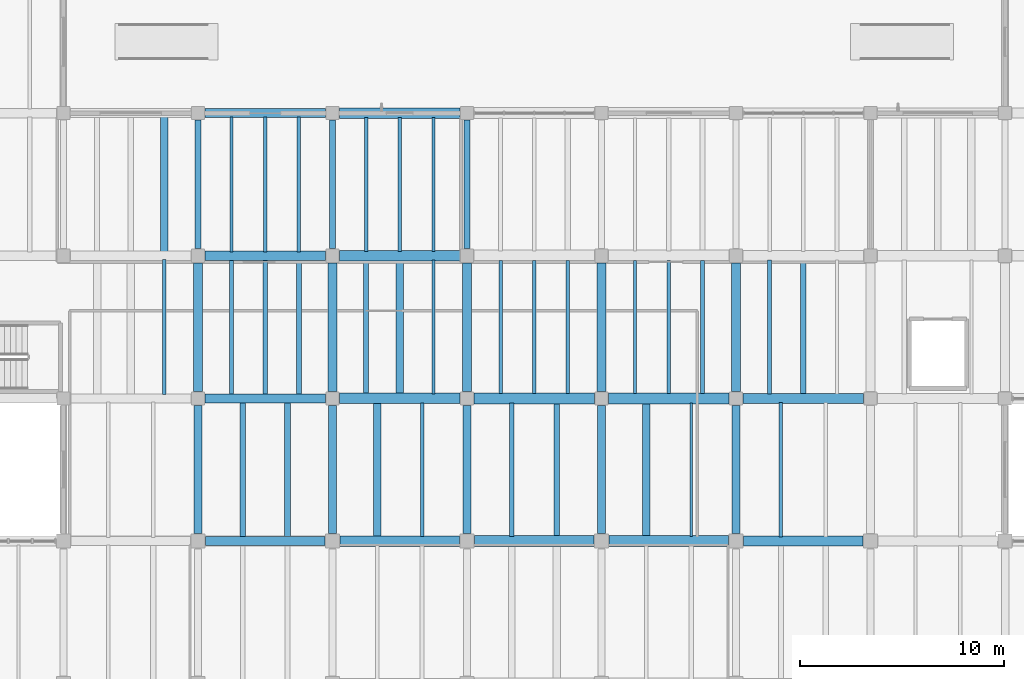
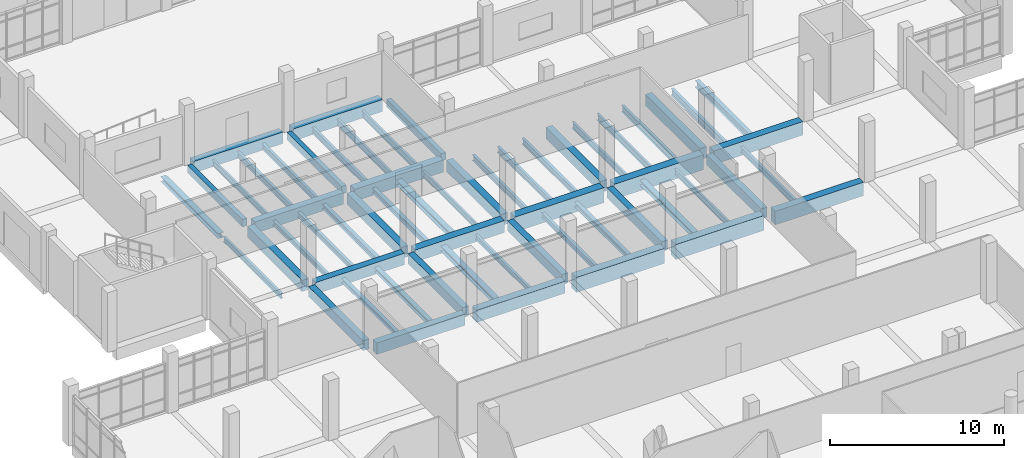
# One storey, part 16 of 69: 58 beams.
"""IFC4 building model written with IfcOpenShell, lengths in metres."""

import ifcopenshell
import ifcopenshell.guid

model = None  # the IFC model being written
_history = None  # IfcOwnerHistory: only IFC2X3 demands one
_inside = {}  # id of a spatial element -> (the spatial element, [elements in it])
_under = {}  # id of a project, library or spatial element -> (it, [spatial elements below it])
_declared = {}  # id of a project -> (the project, [libraries it declares])
_typed = {}  # id of a type object -> (the type object, [elements of that type])
_made_of = {}  # id of a material, layer set ... -> (it, [elements and type objects made of it])


def new_model(schema):
    """Start an empty IFC model of exactly this schema.

    Asked for "IFC4X3", IfcOpenShell would pick the latest addendum, in which some entities
    have other attributes; the version numbers below select the first issue.
    IFC2X3 requires an IfcOwnerHistory on every rooted entity: one is made here for all.
    """
    global model, _history
    if schema == "IFC4X3":
        model = ifcopenshell.file(schema_version=(4, 3, 0, 0))
    else:
        model = ifcopenshell.file(schema=schema)
    _inside.clear()
    _under.clear()
    _declared.clear()
    _typed.clear()
    _made_of.clear()
    _history = None
    if model.schema == "IFC2X3":
        org = make("IfcOrganization", Name="unknown")
        user = make(
            "IfcPersonAndOrganization",
            ThePerson=make("IfcPerson", FamilyName="unknown"),
            TheOrganization=org,
        )
        app = make(
            "IfcApplication",
            ApplicationDeveloper=org,
            Version="unknown",
            ApplicationFullName="unknown",
            ApplicationIdentifier="unknown",
        )
        _history = make(
            "IfcOwnerHistory",
            OwningUser=user,
            OwningApplication=app,
            ChangeAction="ADDED",
            CreationDate=0,
        )
    return model


def make(cls, **values):
    """One entity of the class cls with the attributes given. An attribute that is None is left unset."""
    return model.create_entity(
        cls, **{name: value for name, value in values.items() if value is not None}
    )


def rooted(cls, **values):
    """An entity with a GlobalId (a new one), such as an element, a storey or a relation."""
    return make(cls, GlobalId=ifcopenshell.guid.new(), OwnerHistory=_history, **values)


def si_unit(unit_type, name, prefix=None):
    """IfcSIUnit, for example si_unit("LENGTHUNIT", "METRE", prefix="MILLI")."""
    return make("IfcSIUnit", UnitType=unit_type, Prefix=prefix, Name=name)


def assignment(units):
    """IfcUnitAssignment: the units of a project."""
    return None if units is None else make("IfcUnitAssignment", Units=units)


def point(xyz):
    """IfcCartesianPoint."""
    return None if xyz is None else make("IfcCartesianPoint", Coordinates=xyz)


def direction(xyz):
    """IfcDirection."""
    return None if xyz is None else make("IfcDirection", DirectionRatios=xyz)


def frame(location, z_axis=None, x_axis=None):
    """IfcAxis2Placement3D, a coordinate frame: its origin and axes. An axis left out is left unset."""
    return make(
        "IfcAxis2Placement3D",
        Location=point(location),
        Axis=direction(z_axis),
        RefDirection=direction(x_axis),
    )


def frame_2d(location, x_axis=None):
    """IfcAxis2Placement2D, a coordinate frame in the plane: its origin and x axis."""
    return make(
        "IfcAxis2Placement2D", Location=point(location), RefDirection=direction(x_axis)
    )


def origin():
    """The frame at (0, 0, 0) with its axes left unset."""
    return frame((0.0, 0.0, 0.0))


def origin_2d():
    """The frame at (0, 0) in the plane with its x axis left unset."""
    return frame_2d((0.0, 0.0))


def place(relative_to, where):
    """IfcLocalPlacement: puts the frame where relative to a parent placement (None: the world)."""
    return make(
        "IfcLocalPlacement", PlacementRelTo=relative_to, RelativePlacement=where
    )


def context(
    kind, dimensions, precision=None, world=None, true_north=None, identifier=None
):
    """IfcGeometricRepresentationContext, for example the 3D "Model" context."""
    return make(
        "IfcGeometricRepresentationContext",
        ContextIdentifier=identifier,
        ContextType=kind,
        CoordinateSpaceDimension=dimensions,
        Precision=precision,
        WorldCoordinateSystem=world,
        TrueNorth=true_north,
    )


def subcontext(parent, identifier, kind, view, scale=None):
    """IfcGeometricRepresentationSubContext, for example "Body" below "Model"."""
    return make(
        "IfcGeometricRepresentationSubContext",
        ContextIdentifier=identifier,
        ContextType=kind,
        ParentContext=parent,
        TargetScale=scale,
        TargetView=view,
    )


def project(units=None, contexts=None):
    """IfcProject with its units and contexts."""
    return rooted(
        "IfcProject",
        Name="project",
        RepresentationContexts=contexts,
        UnitsInContext=assignment(units),
    )


def spatial(cls, under=None, at=None, **own):
    """A site, building, storey or space (cls), placed at a placement, below another one or the project."""
    s = rooted(cls, ObjectPlacement=at, **own)
    if under is not None:
        _under.setdefault(under.id(), (under, []))[1].append(s)
    return s


def profile(cls, at=None, kind="AREA", **sizes):
    """A parametric profile (cls). Its sizes go by their IFC names, for example OverallWidth=200.0."""
    return make(cls, ProfileType=kind, Position=at, **sizes)


def rectangle(**sizes):
    """IfcRectangleProfileDef."""
    return profile("IfcRectangleProfileDef", **sizes)


def i_section(**sizes):
    """IfcIShapeProfileDef."""
    return profile("IfcIShapeProfileDef", **sizes)


def extrude(swept, where, along, depth):
    """IfcExtrudedAreaSolid: the profile swept, set in the frame where, extruded along a direction by depth."""
    return make(
        "IfcExtrudedAreaSolid",
        SweptArea=swept,
        Position=where,
        ExtrudedDirection=direction(along),
        Depth=depth,
    )


def shape(context_of_items, identifier, shape_type, items):
    """IfcShapeRepresentation: the items that make up one representation, for example the "Body"."""
    return make(
        "IfcShapeRepresentation",
        ContextOfItems=context_of_items,
        RepresentationIdentifier=identifier,
        RepresentationType=shape_type,
        Items=items,
    )


def material(Name=None, Category=None):
    """IfcMaterial."""
    return make("IfcMaterial", Name=Name, Category=Category)


def material_profile(
    of_material, cross_section, Name=None, Category=None, Priority=None
):
    """IfcMaterialProfile: a cross section and its material."""
    return make(
        "IfcMaterialProfile",
        Name=Name,
        Material=of_material,
        Profile=cross_section,
        Priority=Priority,
        Category=Category,
    )


def profile_set(profiles, Name=None, composite=None):
    """IfcMaterialProfileSet."""
    return make(
        "IfcMaterialProfileSet",
        Name=Name,
        MaterialProfiles=profiles,
        CompositeProfile=composite,
    )


def made_of(thing, what):
    """Note that an element or type object is made of a material, layer set ...; save() writes the relation."""
    if what is not None:
        _made_of.setdefault(what.id(), (what, []))[1].append(thing)
    return thing


def type_object(cls, material=None, **own):
    """A type object (cls), such as IfcWallType, which elements share."""
    return made_of(rooted(cls, **own), material)


def element(
    cls,
    number,
    at=None,
    inside=None,
    cuts=None,
    type_object=None,
    material=None,
    context=None,
    identifier="Body",
    shape_type=None,
    held_by="IfcProductDefinitionShape",
    body=None,
    shapes=None,
    **own,
):
    """One element of the class cls, such as IfcWall. Its Tag is "e" and its number.

    at: its placement. inside: the storey or other place that contains it. cuts: it is an
    opening in that element (IfcRelVoidsElement). A single representation is given by context,
    identifier, shape_type and body (its items); several are given by shapes. held_by: the class
    of the entity that holds the representations. save() writes the other relations.
    """
    e = rooted(cls, Tag="e%d" % number, ObjectPlacement=at, **own)
    if body is not None:
        shapes = [shape(context, identifier, shape_type, body)]
    if shapes is not None:
        e.Representation = make(held_by, Representations=shapes)
    if inside is not None:
        _inside.setdefault(inside.id(), (inside, []))[1].append(e)
    if cuts is not None:
        rooted(
            "IfcRelVoidsElement", RelatingBuildingElement=cuts, RelatedOpeningElement=e
        )
    if type_object is not None:
        _typed.setdefault(type_object.id(), (type_object, []))[1].append(e)
    return made_of(e, material)


def aggregate(whole, parts):
    """IfcRelAggregates: a whole, such as a stair, and the parts it consists of."""
    return rooted("IfcRelAggregates", RelatingObject=whole, RelatedObjects=parts)


def save(model, path):
    """Write the relations noted so far, then the file.

    IfcRelAggregates (storeys below a building ...), IfcRelContainedInSpatialStructure (elements
    in a storey), IfcRelDefinesByType, IfcRelAssociatesMaterial and IfcRelDeclares: one each for
    every whole, place, type object, material and project.
    """
    for whole, parts in _under.values():
        aggregate(whole, parts)
    for where, things in _inside.values():
        rooted(
            "IfcRelContainedInSpatialStructure",
            RelatedElements=things,
            RelatingStructure=where,
        )
    for kind, things in _typed.values():
        rooted("IfcRelDefinesByType", RelatedObjects=things, RelatingType=kind)
    for what, things in _made_of.values():
        rooted("IfcRelAssociatesMaterial", RelatedObjects=things, RelatingMaterial=what)
    for by, libraries in _declared.values():
        rooted("IfcRelDeclares", RelatingContext=by, RelatedDefinitions=libraries)
    model.write(path)


model = new_model("IFC4")

# Units and contexts
model_context = context("Model", 3, precision=1e-05, world=origin(), true_north=direction((0.0, 1.0)))
body_context = subcontext(model_context, "Body", "Model", "MODEL_VIEW")
ifc_project = project(units=[si_unit("LENGTHUNIT", "METRE"), si_unit("AREAUNIT", "SQUARE_METRE"), si_unit("VOLUMEUNIT", "CUBIC_METRE"), si_unit("PLANEANGLEUNIT", "RADIAN"), si_unit("MASSUNIT", "GRAM", prefix="KILO")], contexts=[model_context])

# Site, building, storey
site_placement = place(None, origin())
site = spatial("IfcSite", under=ifc_project, at=site_placement, CompositionType="ELEMENT")
building_placement = place(site_placement, origin())
building = spatial("IfcBuilding", under=site, at=building_placement, Name="Ciguamira Faculty of Natural Sciences", CompositionType="ELEMENT")
storey_placement = place(building_placement, origin())
storey = spatial("IfcBuildingStorey", under=building, at=storey_placement, Name="L00", CompositionType="ELEMENT", Elevation=0.0)

# Beams
ifc_material_1 = material(Name="Concrete C40/50", Category="concrete")
ifc_material_profile_1 = material_profile(ifc_material_1, rectangle(XDim=0.550048828125, YDim=1.050048828125, at=origin_2d()), Name="RC-BM-550X1050")
ifc_profile_set_1 = profile_set([ifc_material_profile_1], Name="Concrete C40/50")
beam_type_1 = type_object("IfcBeamType", Name="RCBeam_BG-01_RC-BM-550X1050", PredefinedType="BEAM", material=ifc_profile_set_1)
beam_1_placement = place(storey_placement, frame((84.074951171875, 38.0, -0.52490234375), z_axis=(1.0, 0.0, 0.0), x_axis=(0.0, 1.0, 0.0)))
element("IfcBeam", 1, at=beam_1_placement, inside=storey, type_object=beam_type_1, Name="L00 RC girder EW-0094", PredefinedType="BEAM", context=body_context, shape_type="SweptSolid", body=[
    extrude(rectangle(XDim=0.550048828125, YDim=1.050048828125, at=origin_2d()), origin(), (0.0, 0.0, 1.0), 5.85009765625),
])
beam_2_placement = place(storey_placement, frame((90.675048828125, 38.0, -0.52490234375), z_axis=(1.0, 0.0, 0.0), x_axis=(0.0, 1.0, 0.0)))
element("IfcBeam", 2, at=beam_2_placement, inside=storey, type_object=beam_type_1, Name="L00 RC girder EW-0095", PredefinedType="BEAM", context=body_context, shape_type="SweptSolid", body=[
    extrude(rectangle(XDim=0.550048828125, YDim=1.050048828125, at=origin_2d()), origin(), (0.0, 0.0, 1.0), 5.849853515625),
])
beam_3_placement = place(storey_placement, frame((84.050048828125, 45.0, -0.52490234375), z_axis=(1.0, 0.0, 0.0), x_axis=(0.0, 1.0, 0.0)))
element("IfcBeam", 3, at=beam_3_placement, inside=storey, type_object=beam_type_1, Name="L00 RC girder EW-0104", PredefinedType="BEAM", context=body_context, shape_type="SweptSolid", body=[
    extrude(rectangle(XDim=0.550048828125, YDim=1.050048828125, at=origin_2d()), origin(), (0.0, 0.0, 1.0), 5.89990234375),
])
beam_4_placement = place(storey_placement, frame((90.64990234375, 45.0, -0.52490234375), z_axis=(1.0, 0.0, 0.0), x_axis=(0.0, 1.0, 0.0)))
element("IfcBeam", 4, at=beam_4_placement, inside=storey, type_object=beam_type_1, Name="L00 RC girder EW-0105", PredefinedType="BEAM", context=body_context, shape_type="SweptSolid", body=[
    extrude(rectangle(XDim=0.550048828125, YDim=1.050048828125, at=origin_2d()), origin(), (0.0, 0.0, 1.0), 5.900146484375),
])
ifc_material_profile_2 = material_profile(ifc_material_1, rectangle(XDim=0.5, YDim=0.949951171875, at=origin_2d()), Name="RC-BM-500X950")
ifc_profile_set_2 = profile_set([ifc_material_profile_2], Name="Concrete C40/50")
beam_type_2 = type_object("IfcBeamType", Name="RCBeam_BG-02_RC-BM-500X950", PredefinedType="BEAM", material=ifc_profile_set_2)
beam_5_placement = place(storey_placement, frame((97.27490234375, 38.0, -0.47509765625), z_axis=(1.0, 0.0, 0.0), x_axis=(0.0, 1.0, 0.0)))
element("IfcBeam", 5, at=beam_5_placement, inside=storey, type_object=beam_type_2, Name="L00 RC girder EW-0096", PredefinedType="BEAM", context=body_context, shape_type="SweptSolid", body=[
    extrude(rectangle(XDim=0.5, YDim=0.949951171875, at=origin_2d()), origin(), (0.0, 0.0, 1.0), 5.85009765625),
])
beam_6_placement = place(storey_placement, frame((97.25, 45.0, -0.47509765625), z_axis=(1.0, 0.0, 0.0), x_axis=(0.0, 1.0, 0.0)))
element("IfcBeam", 6, at=beam_6_placement, inside=storey, type_object=beam_type_2, Name="L00 RC girder EW-0106", PredefinedType="BEAM", context=body_context, shape_type="SweptSolid", body=[
    extrude(rectangle(XDim=0.5, YDim=0.949951171875, at=origin_2d()), origin(), (0.0, 0.0, 1.0), 5.89990234375),
])
ifc_material_profile_3 = material_profile(ifc_material_1, rectangle(XDim=0.449951171875, YDim=0.800048828125, at=origin_2d()), Name="RC-BM-450X800")
ifc_profile_set_3 = profile_set([ifc_material_profile_3], Name="Concrete C40/50")
beam_type_3 = type_object("IfcBeamType", Name="RCBeam_BG-05_RC-BM-450X800", PredefinedType="BEAM", material=ifc_profile_set_3)
beam_7_placement = place(storey_placement, frame((70.875, 38.0, -0.39990234375), z_axis=(1.0, 0.0, 0.0), x_axis=(0.0, 1.0, 0.0)))
element("IfcBeam", 7, at=beam_7_placement, inside=storey, type_object=beam_type_3, Name="L00 RC girder EW-0092", PredefinedType="BEAM", context=body_context, shape_type="SweptSolid", body=[
    extrude(rectangle(XDim=0.449951171875, YDim=0.800048828125, at=origin_2d()), origin(), (0.0, 0.0, 1.0), 5.85009765625),
])
for number, where, z_axis, x_axis, name in (
    (8, (70.85009765625, 45.0, -0.39990234375), (1.0, 0.0, 0.0), (0.0, 1.0, 0.0), "L00 RC girder EW-0102"),
    (9, (70.85009765625, 52.0, -0.39990234375), (1.0, 0.0, 0.0), (0.0, 1.0, 0.0), "L00 RC girder EW-0111"),
    (10, (70.85009765625, 59.0, -0.39990234375), (1.0, 0.0, 0.0), (0.0, 1.0, 0.0), "L00 RC girder EW-0120"),
):
    element("IfcBeam", number, at=place(storey_placement, frame(where, z_axis=z_axis, x_axis=x_axis)), inside=storey, type_object=beam_type_3, Name=name, PredefinedType="BEAM", context=body_context, shape_type="SweptSolid", body=[
        extrude(rectangle(XDim=0.449951171875, YDim=0.800048828125, at=origin_2d()), origin(), (0.0, 0.0, 1.0), 5.89990234375),
    ])
ifc_material_profile_4 = material_profile(ifc_material_1, rectangle(XDim=0.43994140625, YDim=0.780029296875, at=origin_2d()), Name="RC-BM-440X780")
ifc_profile_set_4 = profile_set([ifc_material_profile_4], Name="Concrete C40/50")
beam_type_4 = type_object("IfcBeamType", Name="RCBeam_BG-06_RC-BM-440X780", PredefinedType="BEAM", material=ifc_profile_set_4)
for number, where, z_axis, x_axis, name in (
    (11, (70.5, 45.35009765625, -0.389892578125), (0.0, 1.0, 0.0), (-1.0, 0.0, 0.0), "L00 girder NS-0247"),
    (12, (77.10009765625, 45.35009765625, -0.389892578125), (0.0, 1.0, 0.0), (-1.0, 0.0, 0.0), "L00 girder NS-0258"),
    (13, (83.699951171875, 45.35009765625, -0.389892578125), (0.0, 1.0, 0.0), (-1.0, 0.0, 0.0), "L00 girder NS-0269"),
    (14, (90.300048828125, 45.35009765625, -0.389892578125), (0.0, 1.0, 0.0), (-1.0, 0.0, 0.0), "L00 girder NS-0281"),
    (15, (96.89990234375, 45.35009765625, -0.389892578125), (0.0, 1.0, 0.0), (-1.0, 0.0, 0.0), "L00 girder NS-0293"),
):
    element("IfcBeam", number, at=place(storey_placement, frame(where, z_axis=z_axis, x_axis=x_axis)), inside=storey, type_object=beam_type_4, Name=name, PredefinedType="BEAM", context=body_context, shape_type="SweptSolid", body=[
        extrude(rectangle(XDim=0.43994140625, YDim=0.780029296875, at=origin_2d()), origin(), (0.0, 0.0, 1.0), 6.2998046875),
    ])
ifc_material_profile_5 = material_profile(ifc_material_1, rectangle(XDim=0.39990234375, YDim=0.699951171875, at=origin_2d()), Name="RC-BM-400X700")
ifc_profile_set_5 = profile_set([ifc_material_profile_5], Name="Concrete C40/50")
beam_type_5 = type_object("IfcBeamType", Name="RCBeam_BG-08_RC-BM-400X700", PredefinedType="BEAM", material=ifc_profile_set_5)
for number, where, z_axis, x_axis, name in (
    (16, (70.5, 38.375, -0.35009765625), (0.0, 1.0, 0.0), (-1.0, 0.0, 0.0), "L00 girder NS-0246"),
    (17, (77.10009765625, 38.375, -0.35009765625), (0.0, 1.0, 0.0), (-1.0, 0.0, 0.0), "L00 girder NS-0257"),
    (18, (83.699951171875, 38.375, -0.35009765625), (0.0, 1.0, 0.0), (-1.0, 0.0, 0.0), "L00 girder NS-0268"),
    (19, (90.300048828125, 38.375, -0.35009765625), (0.0, 1.0, 0.0), (-1.0, 0.0, 0.0), "L00 girder NS-0280"),
    (20, (96.89990234375, 38.375, -0.35009765625), (0.0, 1.0, 0.0), (-1.0, 0.0, 0.0), "L00 girder NS-0292"),
):
    element("IfcBeam", number, at=place(storey_placement, frame(where, z_axis=z_axis, x_axis=x_axis)), inside=storey, type_object=beam_type_5, Name=name, PredefinedType="BEAM", context=body_context, shape_type="SweptSolid", body=[
        extrude(rectangle(XDim=0.39990234375, YDim=0.699951171875, at=origin_2d()), origin(), (0.0, 0.0, 1.0), 6.27490234375),
    ])
ifc_material_profile_6 = material_profile(ifc_material_1, rectangle(XDim=0.300048828125, YDim=0.52001953125, at=origin_2d()), Name="RC-BM-300X520")
ifc_profile_set_6 = profile_set([ifc_material_profile_6], Name="Concrete C40/50")
beam_type_6 = type_object("IfcBeamType", Name="RCBeam_BG-13_RC-BM-300X520", PredefinedType="BEAM", material=ifc_profile_set_6)
for number, where, z_axis, x_axis, name in (
    (21, (70.5, 52.35009765625, -0.260009765625), (0.0, 1.0, 0.0), (-1.0, 0.0, 0.0), "L00 girder NS-0248"),
    (22, (77.10009765625, 52.35009765625, -0.260009765625), (0.0, 1.0, 0.0), (-1.0, 0.0, 0.0), "L00 girder NS-0259"),
    (23, (83.699951171875, 52.35009765625, -0.260009765625), (0.0, 1.0, 0.0), (-1.0, 0.0, 0.0), "L00 girder NS-0270"),
):
    element("IfcBeam", number, at=place(storey_placement, frame(where, z_axis=z_axis, x_axis=x_axis)), inside=storey, type_object=beam_type_6, Name=name, PredefinedType="BEAM", context=body_context, shape_type="SweptSolid", body=[
        extrude(rectangle(XDim=0.300048828125, YDim=0.52001953125, at=origin_2d()), origin(), (0.0, 0.0, 1.0), 6.2998046875),
    ])
ifc_material_profile_7 = material_profile(ifc_material_1, rectangle(XDim=0.52001953125, YDim=0.840087890625, at=origin_2d()), Name="RC-TB-520X840")
ifc_profile_set_7 = profile_set([ifc_material_profile_7], Name="Concrete C40/50")
beam_type_7 = type_object("IfcBeamType", Name="RCBeam_TB-02_RC-TB-520X840", PredefinedType="T_BEAM", material=ifc_profile_set_7)
beam_8_placement = place(storey_placement, frame((77.47509765625, 38.0, -0.419921875), z_axis=(1.0, 0.0, 0.0), x_axis=(0.0, 1.0, 0.0)))
element("IfcBeam", 24, at=beam_8_placement, inside=storey, type_object=beam_type_7, Name="L00 RC girder EW-0093", PredefinedType="T_BEAM", context=body_context, shape_type="SweptSolid", body=[
    extrude(rectangle(XDim=0.52001953125, YDim=0.840087890625, at=origin_2d()), origin(), (0.0, 0.0, 1.0), 5.849853515625),
])
for number, where, z_axis, x_axis, name in (
    (25, (77.449951171875, 45.0, -0.419921875), (1.0, 0.0, 0.0), (0.0, 1.0, 0.0), "L00 RC girder EW-0103"),
    (26, (77.449951171875, 52.0, -0.419921875), (1.0, 0.0, 0.0), (0.0, 1.0, 0.0), "L00 RC girder EW-0112"),
    (27, (77.449951171875, 59.0, -0.419921875), (1.0, 0.0, 0.0), (0.0, 1.0, 0.0), "L00 RC girder EW-0121"),
):
    element("IfcBeam", number, at=place(storey_placement, frame(where, z_axis=z_axis, x_axis=x_axis)), inside=storey, type_object=beam_type_7, Name=name, PredefinedType="T_BEAM", context=body_context, shape_type="SweptSolid", body=[
        extrude(rectangle(XDim=0.52001953125, YDim=0.840087890625, at=origin_2d()), origin(), (0.0, 0.0, 1.0), 5.900146484375),
    ])
ifc_material_2 = material(Name="Steel ASTM A992 Grade 50", Category="steel")
ifc_material_profile_8 = material_profile(ifc_material_2, i_section(OverallWidth=0.25390625, OverallDepth=0.307373046875, WebThickness=0.0087890625, FlangeThickness=0.0146484375, at=origin_2d()), Name="W12X53")
ifc_profile_set_8 = profile_set([ifc_material_profile_8], Name="Steel ASTM A992 Grade 50")
beam_type_8 = type_object("IfcBeamType", Name="SteelJoist_SJ-07_W12X53", PredefinedType="JOIST", material=ifc_profile_set_8)
beam_9_placement = place(storey_placement, frame((72.699951171875, 38.18505859375, -0.45361328125), z_axis=(0.0, 1.0, 0.0), x_axis=(-1.0, 0.0, 0.0)))
element("IfcBeam", 28, at=beam_9_placement, inside=storey, type_object=beam_type_8, Name="L00 composite steel joist 00125", PredefinedType="JOIST", context=body_context, shape_type="SweptSolid", body=[
    extrude(i_section(OverallWidth=0.25390625, OverallDepth=0.307373046875, WebThickness=0.0087890625, FlangeThickness=0.0146484375, at=origin_2d()), origin(), (0.0, 0.0, 1.0), 6.6298828125),
])
ifc_material_profile_9 = material_profile(ifc_material_2, i_section(OverallWidth=0.3046875, OverallDepth=0.307373046875, WebThickness=0.010009765625, FlangeThickness=0.015380859375, at=origin_2d()), Name="W12X65")
ifc_profile_set_9 = profile_set([ifc_material_profile_9], Name="Steel ASTM A992 Grade 50")
beam_type_9 = type_object("IfcBeamType", Name="SteelJoist_SJ-08_W12X65", PredefinedType="JOIST", material=ifc_profile_set_9)
beam_10_placement = place(storey_placement, frame((74.89990234375, 38.18505859375, -0.45361328125), z_axis=(0.0, 1.0, 0.0), x_axis=(-1.0, 0.0, 0.0)))
element("IfcBeam", 29, at=beam_10_placement, inside=storey, type_object=beam_type_9, Name="L00 composite steel joist 00126", PredefinedType="JOIST", context=body_context, shape_type="SweptSolid", body=[
    extrude(i_section(OverallWidth=0.3046875, OverallDepth=0.307373046875, WebThickness=0.010009765625, FlangeThickness=0.015380859375, at=origin_2d()), origin(), (0.0, 0.0, 1.0), 6.6298828125),
])
ifc_material_profile_10 = material_profile(ifc_material_2, i_section(OverallWidth=0.373291015625, OverallDepth=0.373291015625, WebThickness=0.016357421875, FlangeThickness=0.026123046875, at=origin_2d()), Name="W14X132")
ifc_profile_set_10 = profile_set([ifc_material_profile_10], Name="Steel ASTM A992 Grade 50")
beam_type_10 = type_object("IfcBeamType", Name="SteelJoist_SJ-10_W14X132", PredefinedType="JOIST", material=ifc_profile_set_10)
beam_11_placement = place(storey_placement, frame((79.300048828125, 38.219970703125, -0.48681640625), z_axis=(0.0, 1.0, 0.0), x_axis=(-1.0, 0.0, 0.0)))
element("IfcBeam", 30, at=beam_11_placement, inside=storey, type_object=beam_type_10, Name="L00 composite steel joist 00150", PredefinedType="JOIST", context=body_context, shape_type="SweptSolid", body=[
    extrude(i_section(OverallWidth=0.373291015625, OverallDepth=0.373291015625, WebThickness=0.016357421875, FlangeThickness=0.026123046875, at=origin_2d()), origin(), (0.0, 0.0, 1.0), 6.56005859375),
])
ifc_material_profile_11 = material_profile(ifc_material_2, i_section(OverallWidth=0.1708984375, OverallDepth=0.3505859375, WebThickness=0.0068359375, FlangeThickness=0.009765625, at=origin_2d()), Name="W14X30")
ifc_profile_set_11 = profile_set([ifc_material_profile_11], Name="Steel ASTM A992 Grade 50")
beam_type_11 = type_object("IfcBeamType", Name="SteelJoist_SJ-11_W14X30", PredefinedType="JOIST", material=ifc_profile_set_11)
beam_12_placement = place(storey_placement, frame((68.85009765625, 45.18505859375, -0.475341796875), z_axis=(0.0, 1.0, 0.0), x_axis=(-1.0, 0.0, 0.0)))
element("IfcBeam", 31, at=beam_12_placement, inside=storey, type_object=beam_type_11, Name="L00 composite steel joist 00103", PredefinedType="JOIST", context=body_context, shape_type="SweptSolid", body=[
    extrude(i_section(OverallWidth=0.1708984375, OverallDepth=0.3505859375, WebThickness=0.0068359375, FlangeThickness=0.009765625, at=origin_2d()), origin(), (0.0, 0.0, 1.0), 6.6298828125),
])
beam_13_placement = place(storey_placement, frame((81.5, 38.219970703125, -0.475341796875), z_axis=(0.0, 1.0, 0.0), x_axis=(-1.0, 0.0, 0.0)))
element("IfcBeam", 32, at=beam_13_placement, inside=storey, type_object=beam_type_11, Name="L00 composite steel joist 00151", PredefinedType="JOIST", context=body_context, shape_type="SweptSolid", body=[
    extrude(i_section(OverallWidth=0.1708984375, OverallDepth=0.3505859375, WebThickness=0.0068359375, FlangeThickness=0.009765625, at=origin_2d()), origin(), (0.0, 0.0, 1.0), 6.56005859375),
])
ifc_material_profile_12 = material_profile(ifc_material_2, i_section(OverallWidth=0.203125, OverallDepth=0.347900390625, WebThickness=0.0078125, FlangeThickness=0.013427734375, at=origin_2d()), Name="W14X43")
ifc_profile_set_12 = profile_set([ifc_material_profile_12], Name="Steel ASTM A992 Grade 50")
beam_type_12 = type_object("IfcBeamType", Name="SteelJoist_SJ-12_W14X43", PredefinedType="JOIST", material=ifc_profile_set_12)
beam_14_placement = place(storey_placement, frame((72.14990234375, 45.18505859375, -0.47412109375), z_axis=(0.0, 1.0, 0.0), x_axis=(-1.0, 0.0, 0.0)))
element("IfcBeam", 33, at=beam_14_placement, inside=storey, type_object=beam_type_12, Name="L00 composite steel joist 00127", PredefinedType="JOIST", context=body_context, shape_type="SweptSolid", body=[
    extrude(i_section(OverallWidth=0.203125, OverallDepth=0.347900390625, WebThickness=0.0078125, FlangeThickness=0.013427734375, at=origin_2d()), origin(), (0.0, 0.0, 1.0), 6.6298828125),
])
ifc_material_profile_13 = material_profile(ifc_material_2, i_section(OverallWidth=0.204833984375, OverallDepth=0.35302734375, WebThickness=0.00927734375, FlangeThickness=0.016845703125, at=origin_2d()), Name="W14X53")
ifc_profile_set_13 = profile_set([ifc_material_profile_13], Name="Steel ASTM A992 Grade 50")
beam_type_13 = type_object("IfcBeamType", Name="SteelJoist_SJ-13_W14X53", PredefinedType="JOIST", material=ifc_profile_set_13)
beam_15_placement = place(storey_placement, frame((73.800048828125, 45.18505859375, -0.4765625), z_axis=(0.0, 1.0, 0.0), x_axis=(-1.0, 0.0, 0.0)))
element("IfcBeam", 34, at=beam_15_placement, inside=storey, type_object=beam_type_13, Name="L00 composite steel joist 00128", PredefinedType="JOIST", context=body_context, shape_type="SweptSolid", body=[
    extrude(i_section(OverallWidth=0.204833984375, OverallDepth=0.35302734375, WebThickness=0.00927734375, FlangeThickness=0.016845703125, at=origin_2d()), origin(), (0.0, 0.0, 1.0), 6.6298828125),
])
beam_16_placement = place(storey_placement, frame((85.89990234375, 38.235107421875, -0.4765625), z_axis=(0.0, 1.0, 0.0), x_axis=(-1.0, 0.0, 0.0)))
element("IfcBeam", 35, at=beam_16_placement, inside=storey, type_object=beam_type_13, Name="L00 composite steel joist 00176", PredefinedType="JOIST", context=body_context, shape_type="SweptSolid", body=[
    extrude(i_section(OverallWidth=0.204833984375, OverallDepth=0.35302734375, WebThickness=0.00927734375, FlangeThickness=0.016845703125, at=origin_2d()), origin(), (0.0, 0.0, 1.0), 6.52978515625),
])
ifc_material_profile_14 = material_profile(ifc_material_2, i_section(OverallWidth=0.25390625, OverallDepth=0.355712890625, WebThickness=0.010498046875, FlangeThickness=0.018310546875, at=origin_2d()), Name="W14X68")
ifc_profile_set_14 = profile_set([ifc_material_profile_14], Name="Steel ASTM A992 Grade 50")
beam_type_14 = type_object("IfcBeamType", Name="SteelJoist_SJ-14_W14X68", PredefinedType="JOIST", material=ifc_profile_set_14)
beam_17_placement = place(storey_placement, frame((75.449951171875, 45.18505859375, -0.477783203125), z_axis=(0.0, 1.0, 0.0), x_axis=(-1.0, 0.0, 0.0)))
element("IfcBeam", 36, at=beam_17_placement, inside=storey, type_object=beam_type_14, Name="L00 composite steel joist 00129", PredefinedType="JOIST", context=body_context, shape_type="SweptSolid", body=[
    extrude(i_section(OverallWidth=0.25390625, OverallDepth=0.355712890625, WebThickness=0.010498046875, FlangeThickness=0.018310546875, at=origin_2d()), origin(), (0.0, 0.0, 1.0), 6.6298828125),
])
beam_18_placement = place(storey_placement, frame((88.10009765625, 38.235107421875, -0.477783203125), z_axis=(0.0, 1.0, 0.0), x_axis=(-1.0, 0.0, 0.0)))
element("IfcBeam", 37, at=beam_18_placement, inside=storey, type_object=beam_type_14, Name="L00 composite steel joist 00177", PredefinedType="JOIST", context=body_context, shape_type="SweptSolid", body=[
    extrude(i_section(OverallWidth=0.25390625, OverallDepth=0.355712890625, WebThickness=0.010498046875, FlangeThickness=0.018310546875, at=origin_2d()), origin(), (0.0, 0.0, 1.0), 6.52978515625),
])
ifc_material_profile_15 = material_profile(ifc_material_2, i_section(OverallWidth=0.256591796875, OverallDepth=0.36328125, WebThickness=0.012939453125, FlangeThickness=0.021728515625, at=origin_2d()), Name="W14X82")
ifc_profile_set_15 = profile_set([ifc_material_profile_15], Name="Steel ASTM A992 Grade 50")
beam_type_15 = type_object("IfcBeamType", Name="SteelJoist_SJ-15_W14X82", PredefinedType="JOIST", material=ifc_profile_set_15)
beam_19_placement = place(storey_placement, frame((78.75, 45.219970703125, -0.481689453125), z_axis=(0.0, 1.0, 0.0), x_axis=(-1.0, 0.0, 0.0)))
element("IfcBeam", 38, at=beam_19_placement, inside=storey, type_object=beam_type_15, Name="L00 composite steel joist 00152", PredefinedType="JOIST", context=body_context, shape_type="SweptSolid", body=[
    extrude(i_section(OverallWidth=0.256591796875, OverallDepth=0.36328125, WebThickness=0.012939453125, FlangeThickness=0.021728515625, at=origin_2d()), origin(), (0.0, 0.0, 1.0), 6.56005859375),
])
ifc_material_profile_16 = material_profile(ifc_material_2, i_section(OverallWidth=0.368408203125, OverallDepth=0.355712890625, WebThickness=0.01123046875, FlangeThickness=0.01806640625, at=origin_2d()), Name="W14X90")
ifc_profile_set_16 = profile_set([ifc_material_profile_16], Name="Steel ASTM A992 Grade 50")
beam_type_16 = type_object("IfcBeamType", Name="SteelJoist_SJ-16_W14X90", PredefinedType="JOIST", material=ifc_profile_set_16)
beam_20_placement = place(storey_placement, frame((68.85009765625, 52.18505859375, -0.477783203125), z_axis=(0.0, 1.0, 0.0), x_axis=(-1.0, 0.0, 0.0)))
element("IfcBeam", 39, at=beam_20_placement, inside=storey, type_object=beam_type_16, Name="L00 composite steel joist 00106", PredefinedType="JOIST", context=body_context, shape_type="SweptSolid", body=[
    extrude(i_section(OverallWidth=0.368408203125, OverallDepth=0.355712890625, WebThickness=0.01123046875, FlangeThickness=0.01806640625, at=origin_2d()), origin(), (0.0, 0.0, 1.0), 6.6298828125),
])
beam_21_placement = place(storey_placement, frame((80.39990234375, 45.219970703125, -0.477783203125), z_axis=(0.0, 1.0, 0.0), x_axis=(-1.0, 0.0, 0.0)))
element("IfcBeam", 40, at=beam_21_placement, inside=storey, type_object=beam_type_16, Name="L00 composite steel joist 00153", PredefinedType="JOIST", context=body_context, shape_type="SweptSolid", body=[
    extrude(i_section(OverallWidth=0.368408203125, OverallDepth=0.355712890625, WebThickness=0.01123046875, FlangeThickness=0.01806640625, at=origin_2d()), origin(), (0.0, 0.0, 1.0), 6.56005859375),
])
beam_22_placement = place(storey_placement, frame((92.5, 38.235107421875, -0.477783203125), z_axis=(0.0, 1.0, 0.0), x_axis=(-1.0, 0.0, 0.0)))
element("IfcBeam", 41, at=beam_22_placement, inside=storey, type_object=beam_type_16, Name="L00 composite steel joist 00201", PredefinedType="JOIST", context=body_context, shape_type="SweptSolid", body=[
    extrude(i_section(OverallWidth=0.368408203125, OverallDepth=0.355712890625, WebThickness=0.01123046875, FlangeThickness=0.01806640625, at=origin_2d()), origin(), (0.0, 0.0, 1.0), 6.52978515625),
])
ifc_material_profile_17 = material_profile(ifc_material_2, i_section(OverallWidth=0.140380859375, OverallDepth=0.40380859375, WebThickness=0.007080078125, FlangeThickness=0.01123046875, at=origin_2d()), Name="W16X31")
ifc_profile_set_17 = profile_set([ifc_material_profile_17], Name="Steel ASTM A992 Grade 50")
beam_type_17 = type_object("IfcBeamType", Name="SteelJoist_SJ-17_W16X31", PredefinedType="JOIST", material=ifc_profile_set_17)
beam_23_placement = place(storey_placement, frame((72.14990234375, 52.18505859375, -0.501953125), z_axis=(0.0, 1.0, 0.0), x_axis=(-1.0, 0.0, 0.0)))
element("IfcBeam", 42, at=beam_23_placement, inside=storey, type_object=beam_type_17, Name="L00 composite steel joist 00130", PredefinedType="JOIST", context=body_context, shape_type="SweptSolid", body=[
    extrude(i_section(OverallWidth=0.140380859375, OverallDepth=0.40380859375, WebThickness=0.007080078125, FlangeThickness=0.01123046875, at=origin_2d()), origin(), (0.0, 0.0, 1.0), 6.6298828125),
])
beam_24_placement = place(storey_placement, frame((82.050048828125, 45.219970703125, -0.501953125), z_axis=(0.0, 1.0, 0.0), x_axis=(-1.0, 0.0, 0.0)))
element("IfcBeam", 43, at=beam_24_placement, inside=storey, type_object=beam_type_17, Name="L00 composite steel joist 00154", PredefinedType="JOIST", context=body_context, shape_type="SweptSolid", body=[
    extrude(i_section(OverallWidth=0.140380859375, OverallDepth=0.40380859375, WebThickness=0.007080078125, FlangeThickness=0.01123046875, at=origin_2d()), origin(), (0.0, 0.0, 1.0), 6.56005859375),
])
beam_25_placement = place(storey_placement, frame((94.699951171875, 38.235107421875, -0.501953125), z_axis=(0.0, 1.0, 0.0), x_axis=(-1.0, 0.0, 0.0)))
element("IfcBeam", 44, at=beam_25_placement, inside=storey, type_object=beam_type_17, Name="L00 composite steel joist 00202", PredefinedType="JOIST", context=body_context, shape_type="SweptSolid", body=[
    extrude(i_section(OverallWidth=0.140380859375, OverallDepth=0.40380859375, WebThickness=0.007080078125, FlangeThickness=0.01123046875, at=origin_2d()), origin(), (0.0, 0.0, 1.0), 6.52978515625),
])
ifc_material_profile_18 = material_profile(ifc_material_2, i_section(OverallWidth=0.177490234375, OverallDepth=0.40380859375, WebThickness=0.007568359375, FlangeThickness=0.010986328125, at=origin_2d()), Name="W16X36")
ifc_profile_set_18 = profile_set([ifc_material_profile_18], Name="Steel ASTM A992 Grade 50")
beam_type_18 = type_object("IfcBeamType", Name="SteelJoist_SJ-18_W16X36", PredefinedType="JOIST", material=ifc_profile_set_18)
beam_26_placement = place(storey_placement, frame((73.800048828125, 52.18505859375, -0.501953125), z_axis=(0.0, 1.0, 0.0), x_axis=(-1.0, 0.0, 0.0)))
element("IfcBeam", 45, at=beam_26_placement, inside=storey, type_object=beam_type_18, Name="L00 composite steel joist 00131", PredefinedType="JOIST", context=body_context, shape_type="SweptSolid", body=[
    extrude(i_section(OverallWidth=0.177490234375, OverallDepth=0.40380859375, WebThickness=0.007568359375, FlangeThickness=0.010986328125, at=origin_2d()), origin(), (0.0, 0.0, 1.0), 6.6298828125),
])
beam_27_placement = place(storey_placement, frame((85.35009765625, 45.235107421875, -0.501953125), z_axis=(0.0, 1.0, 0.0), x_axis=(-1.0, 0.0, 0.0)))
element("IfcBeam", 46, at=beam_27_placement, inside=storey, type_object=beam_type_18, Name="L00 composite steel joist 00178", PredefinedType="JOIST", context=body_context, shape_type="SweptSolid", body=[
    extrude(i_section(OverallWidth=0.177490234375, OverallDepth=0.40380859375, WebThickness=0.007568359375, FlangeThickness=0.010986328125, at=origin_2d()), origin(), (0.0, 0.0, 1.0), 6.52978515625),
])
ifc_material_profile_19 = material_profile(ifc_material_2, i_section(OverallWidth=0.1787109375, OverallDepth=0.408935546875, WebThickness=0.0087890625, FlangeThickness=0.014404296875, at=origin_2d()), Name="W16X45")
ifc_profile_set_19 = profile_set([ifc_material_profile_19], Name="Steel ASTM A992 Grade 50")
beam_type_19 = type_object("IfcBeamType", Name="SteelJoist_SJ-19_W16X45", PredefinedType="JOIST", material=ifc_profile_set_19)
beam_28_placement = place(storey_placement, frame((75.449951171875, 52.18505859375, -0.50439453125), z_axis=(0.0, 1.0, 0.0), x_axis=(-1.0, 0.0, 0.0)))
element("IfcBeam", 47, at=beam_28_placement, inside=storey, type_object=beam_type_19, Name="L00 composite steel joist 00132", PredefinedType="JOIST", context=body_context, shape_type="SweptSolid", body=[
    extrude(i_section(OverallWidth=0.1787109375, OverallDepth=0.408935546875, WebThickness=0.0087890625, FlangeThickness=0.014404296875, at=origin_2d()), origin(), (0.0, 0.0, 1.0), 6.6298828125),
])
beam_29_placement = place(storey_placement, frame((87.0, 45.235107421875, -0.50439453125), z_axis=(0.0, 1.0, 0.0), x_axis=(-1.0, 0.0, 0.0)))
element("IfcBeam", 48, at=beam_29_placement, inside=storey, type_object=beam_type_19, Name="L00 composite steel joist 00179", PredefinedType="JOIST", context=body_context, shape_type="SweptSolid", body=[
    extrude(i_section(OverallWidth=0.1787109375, OverallDepth=0.408935546875, WebThickness=0.0087890625, FlangeThickness=0.014404296875, at=origin_2d()), origin(), (0.0, 0.0, 1.0), 6.52978515625),
])
beam_30_placement = place(storey_placement, frame((99.10009765625, 38.2099609375, -0.50439453125), z_axis=(0.0, 1.0, 0.0), x_axis=(-1.0, 0.0, 0.0)))
element("IfcBeam", 49, at=beam_30_placement, inside=storey, type_object=beam_type_19, Name="L00 composite steel joist 00227", PredefinedType="JOIST", context=body_context, shape_type="SweptSolid", body=[
    extrude(i_section(OverallWidth=0.1787109375, OverallDepth=0.408935546875, WebThickness=0.0087890625, FlangeThickness=0.014404296875, at=origin_2d()), origin(), (0.0, 0.0, 1.0), 6.580078125),
])
ifc_material_profile_20 = material_profile(ifc_material_2, i_section(OverallWidth=0.180908203125, OverallDepth=0.41650390625, WebThickness=0.010986328125, FlangeThickness=0.01806640625, at=origin_2d()), Name="W16X57")
ifc_profile_set_20 = profile_set([ifc_material_profile_20], Name="Steel ASTM A992 Grade 50")
beam_type_20 = type_object("IfcBeamType", Name="SteelJoist_SJ-20_W16X57", PredefinedType="JOIST", material=ifc_profile_set_20)
beam_31_placement = place(storey_placement, frame((78.75, 52.219970703125, -0.50830078125), z_axis=(0.0, 1.0, 0.0), x_axis=(-1.0, 0.0, 0.0)))
element("IfcBeam", 50, at=beam_31_placement, inside=storey, type_object=beam_type_20, Name="L00 composite steel joist 00155", PredefinedType="JOIST", context=body_context, shape_type="SweptSolid", body=[
    extrude(i_section(OverallWidth=0.180908203125, OverallDepth=0.41650390625, WebThickness=0.010986328125, FlangeThickness=0.01806640625, at=origin_2d()), origin(), (0.0, 0.0, 1.0), 6.56005859375),
])
beam_32_placement = place(storey_placement, frame((88.64990234375, 45.235107421875, -0.50830078125), z_axis=(0.0, 1.0, 0.0), x_axis=(-1.0, 0.0, 0.0)))
element("IfcBeam", 51, at=beam_32_placement, inside=storey, type_object=beam_type_20, Name="L00 composite steel joist 00180", PredefinedType="JOIST", context=body_context, shape_type="SweptSolid", body=[
    extrude(i_section(OverallWidth=0.180908203125, OverallDepth=0.41650390625, WebThickness=0.010986328125, FlangeThickness=0.01806640625, at=origin_2d()), origin(), (0.0, 0.0, 1.0), 6.52978515625),
])
ifc_material_profile_21 = material_profile(ifc_material_2, i_section(OverallWidth=0.15234375, OverallDepth=0.449462890625, WebThickness=0.007568359375, FlangeThickness=0.0107421875, at=origin_2d()), Name="W18X35")
ifc_profile_set_21 = profile_set([ifc_material_profile_21], Name="Steel ASTM A992 Grade 50")
beam_type_21 = type_object("IfcBeamType", Name="SteelJoist_SJ-21_W18X35", PredefinedType="JOIST", material=ifc_profile_set_21)
beam_33_placement = place(storey_placement, frame((80.39990234375, 52.219970703125, -0.52490234375), z_axis=(0.0, 1.0, 0.0), x_axis=(-1.0, 0.0, 0.0)))
element("IfcBeam", 52, at=beam_33_placement, inside=storey, type_object=beam_type_21, Name="L00 composite steel joist 00156", PredefinedType="JOIST", context=body_context, shape_type="SweptSolid", body=[
    extrude(i_section(OverallWidth=0.15234375, OverallDepth=0.449462890625, WebThickness=0.007568359375, FlangeThickness=0.0107421875, at=origin_2d()), origin(), (0.0, 0.0, 1.0), 6.56005859375),
])
beam_34_placement = place(storey_placement, frame((91.949951171875, 45.235107421875, -0.52490234375), z_axis=(0.0, 1.0, 0.0), x_axis=(-1.0, 0.0, 0.0)))
element("IfcBeam", 53, at=beam_34_placement, inside=storey, type_object=beam_type_21, Name="L00 composite steel joist 00203", PredefinedType="JOIST", context=body_context, shape_type="SweptSolid", body=[
    extrude(i_section(OverallWidth=0.15234375, OverallDepth=0.449462890625, WebThickness=0.007568359375, FlangeThickness=0.0107421875, at=origin_2d()), origin(), (0.0, 0.0, 1.0), 6.52978515625),
])
ifc_material_profile_22 = material_profile(ifc_material_2, i_section(OverallWidth=0.15283203125, OverallDepth=0.45458984375, WebThickness=0.008056640625, FlangeThickness=0.013427734375, at=origin_2d()), Name="W18X40")
ifc_profile_set_22 = profile_set([ifc_material_profile_22], Name="Steel ASTM A992 Grade 50")
beam_type_22 = type_object("IfcBeamType", Name="SteelJoist_SJ-22_W18X40", PredefinedType="JOIST", material=ifc_profile_set_22)
beam_35_placement = place(storey_placement, frame((82.050048828125, 52.219970703125, -0.52734375), z_axis=(0.0, 1.0, 0.0), x_axis=(-1.0, 0.0, 0.0)))
element("IfcBeam", 54, at=beam_35_placement, inside=storey, type_object=beam_type_22, Name="L00 composite steel joist 00157", PredefinedType="JOIST", context=body_context, shape_type="SweptSolid", body=[
    extrude(i_section(OverallWidth=0.15283203125, OverallDepth=0.45458984375, WebThickness=0.008056640625, FlangeThickness=0.013427734375, at=origin_2d()), origin(), (0.0, 0.0, 1.0), 6.56005859375),
])
beam_36_placement = place(storey_placement, frame((93.60009765625, 45.235107421875, -0.52734375), z_axis=(0.0, 1.0, 0.0), x_axis=(-1.0, 0.0, 0.0)))
element("IfcBeam", 55, at=beam_36_placement, inside=storey, type_object=beam_type_22, Name="L00 composite steel joist 00204", PredefinedType="JOIST", context=body_context, shape_type="SweptSolid", body=[
    extrude(i_section(OverallWidth=0.15283203125, OverallDepth=0.45458984375, WebThickness=0.008056640625, FlangeThickness=0.013427734375, at=origin_2d()), origin(), (0.0, 0.0, 1.0), 6.52978515625),
])
ifc_material_profile_23 = material_profile(ifc_material_2, i_section(OverallWidth=0.1904296875, OverallDepth=0.457275390625, WebThickness=0.009033203125, FlangeThickness=0.014404296875, at=origin_2d()), Name="W18X50")
ifc_profile_set_23 = profile_set([ifc_material_profile_23], Name="Steel ASTM A992 Grade 50")
beam_type_23 = type_object("IfcBeamType", Name="SteelJoist_SJ-23_W18X50", PredefinedType="JOIST", material=ifc_profile_set_23)
beam_37_placement = place(storey_placement, frame((95.25, 45.235107421875, -0.528564453125), z_axis=(0.0, 1.0, 0.0), x_axis=(-1.0, 0.0, 0.0)))
element("IfcBeam", 56, at=beam_37_placement, inside=storey, type_object=beam_type_23, Name="L00 composite steel joist 00205", PredefinedType="JOIST", context=body_context, shape_type="SweptSolid", body=[
    extrude(i_section(OverallWidth=0.1904296875, OverallDepth=0.457275390625, WebThickness=0.009033203125, FlangeThickness=0.014404296875, at=origin_2d()), origin(), (0.0, 0.0, 1.0), 6.52978515625),
])
ifc_material_profile_24 = material_profile(ifc_material_2, i_section(OverallWidth=0.19287109375, OverallDepth=0.46728515625, WebThickness=0.011474609375, FlangeThickness=0.01904296875, at=origin_2d()), Name="W18X65")
ifc_profile_set_24 = profile_set([ifc_material_profile_24], Name="Steel ASTM A992 Grade 50")
beam_type_24 = type_object("IfcBeamType", Name="SteelJoist_SJ-24_W18X65", PredefinedType="JOIST", material=ifc_profile_set_24)
beam_38_placement = place(storey_placement, frame((98.550048828125, 45.2099609375, -0.53369140625), z_axis=(0.0, 1.0, 0.0), x_axis=(-1.0, 0.0, 0.0)))
element("IfcBeam", 57, at=beam_38_placement, inside=storey, type_object=beam_type_24, Name="L00 composite steel joist 00229", PredefinedType="JOIST", context=body_context, shape_type="SweptSolid", body=[
    extrude(i_section(OverallWidth=0.19287109375, OverallDepth=0.46728515625, WebThickness=0.011474609375, FlangeThickness=0.01904296875, at=origin_2d()), origin(), (0.0, 0.0, 1.0), 6.580078125),
])
ifc_material_profile_25 = material_profile(ifc_material_2, i_section(OverallWidth=0.279296875, OverallDepth=0.462158203125, WebThickness=0.0107421875, FlangeThickness=0.017333984375, at=origin_2d()), Name="W18X76")
ifc_profile_set_25 = profile_set([ifc_material_profile_25], Name="Steel ASTM A992 Grade 50")
beam_type_25 = type_object("IfcBeamType", Name="SteelJoist_SJ-25_W18X76", PredefinedType="JOIST", material=ifc_profile_set_25)
beam_39_placement = place(storey_placement, frame((100.199951171875, 45.2099609375, -0.531005859375), z_axis=(0.0, 1.0, 0.0), x_axis=(-1.0, 0.0, 0.0)))
element("IfcBeam", 58, at=beam_39_placement, inside=storey, type_object=beam_type_25, Name="L00 composite steel joist 00230", PredefinedType="JOIST", context=body_context, shape_type="SweptSolid", body=[
    extrude(i_section(OverallWidth=0.279296875, OverallDepth=0.462158203125, WebThickness=0.0107421875, FlangeThickness=0.017333984375, at=origin_2d()), origin(), (0.0, 0.0, 1.0), 6.580078125),
])

save(model, "model.ifc")
